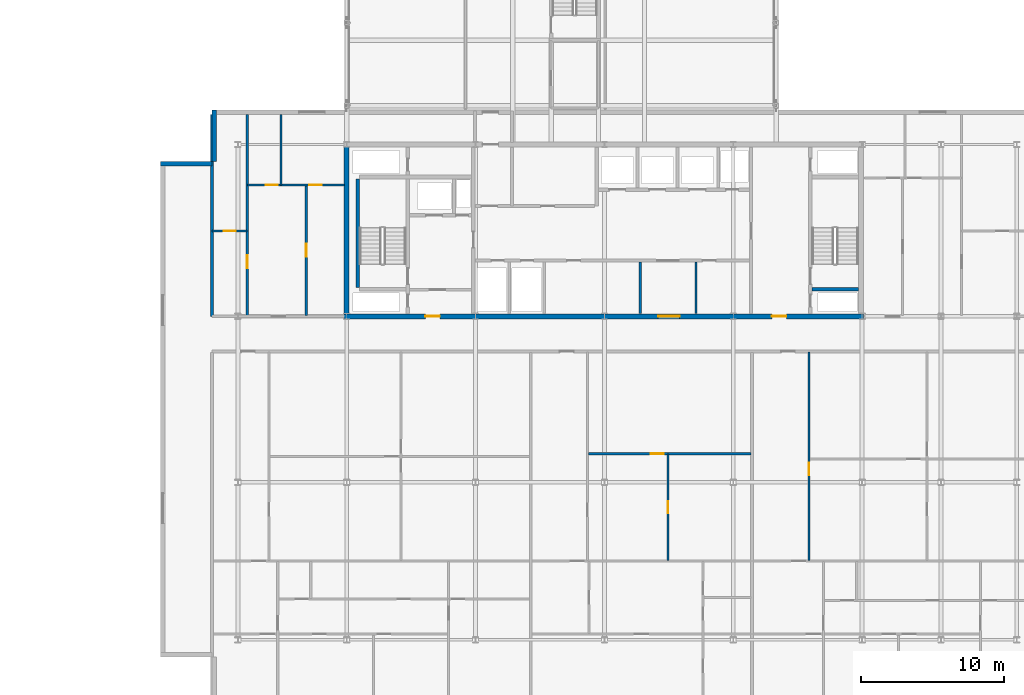
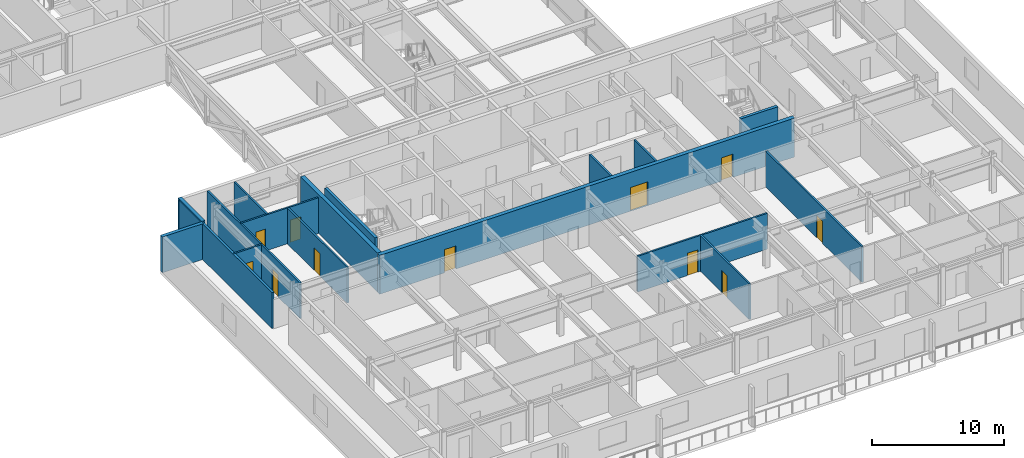
# One storey, part 19 of 36: 17 walls, 11 doors, 11 openings.
"""IFC4 building model written with IfcOpenShell, lengths in metres."""

from ifc_helpers import new_model, si_unit, direction, frame, frame_2d, origin, place, context, subcontext, project, spatial, rectangle, extrude, material, layer, layer_set, type_object, element, fill, save


model = new_model("IFC4")

# Units and contexts
model_context = context("Model", 3, precision=1e-05, world=origin(), true_north=direction((0.0, 1.0)))
body_context = subcontext(model_context, "Body", "Model", "MODEL_VIEW")
ifc_project = project(units=[si_unit("LENGTHUNIT", "METRE"), si_unit("AREAUNIT", "SQUARE_METRE"), si_unit("VOLUMEUNIT", "CUBIC_METRE"), si_unit("PLANEANGLEUNIT", "RADIAN"), si_unit("MASSUNIT", "GRAM", prefix="KILO")], contexts=[model_context])

# Site, building, storey
site_placement = place(None, origin())
site = spatial("IfcSite", under=ifc_project, at=site_placement, CompositionType="ELEMENT")
building_placement = place(site_placement, origin())
building = spatial("IfcBuilding", under=site, at=building_placement, Name="Korimba Cascade Residences", CompositionType="ELEMENT")
storey_placement = place(building_placement, frame((0.0, 0.0, 142.89990234375)))
storey = spatial("IfcBuildingStorey", under=building, at=storey_placement, Name="L41", CompositionType="ELEMENT", Elevation=142.89990234375)

# Walls
ifc_material_1 = material(Name="Precast concrete C40/50", Category="concrete")
ifc_layer_1 = layer(ifc_material_1, 0.300048828125)
ifc_layer_set_1 = layer_set([ifc_layer_1], Name="Precast concrete C40/50")
wall_type_1 = type_object("IfcWallType", Name="EW-STONE-300", PredefinedType="STANDARD", material=ifc_layer_set_1)
wall_1_placement = place(storey_placement, frame((72.85009765625, 32.800048828125, 0.0), z_axis=(0.0, 0.0, 1.0), x_axis=(0.0, -1.0, 0.0)))
element("IfcWall", 1, at=wall_1_placement, inside=storey, type_object=wall_type_1, Name="L41 T2 Perimeter Stone Wall E07", PredefinedType="STANDARD", context=body_context, shape_type="SweptSolid", body=[
    extrude(rectangle(XDim=3.60009765625, YDim=0.300048828125, at=frame_2d((1.800048828125, 0.0))), origin(), (0.0, 0.0, 1.0), 3.31005859375),
])
wall_2_placement = place(storey_placement, frame((72.699951171875, 29.050048828125, 0.0), z_axis=(0.0, 0.0, 1.0), x_axis=(-1.0, 0.0, 0.0)))
element("IfcWall", 2, at=wall_2_placement, inside=storey, type_object=wall_type_1, Name="L41 T2 Perimeter Stone Wall E08", PredefinedType="STANDARD", context=body_context, shape_type="SweptSolid", body=[
    extrude(rectangle(XDim=3.599853515625, YDim=0.300048828125, at=frame_2d((1.7998046875, 0.0))), origin(), (0.0, 0.0, 1.0), 3.31005859375),
])
ifc_material_2 = material(Name="Concrete C65/80", Category="concrete")
ifc_layer_2 = layer(ifc_material_2, 0.35009765625)
ifc_layer_set_2 = layer_set([ifc_layer_2], Name="Concrete C65/80")
wall_type_2 = type_object("IfcWallType", Name="WAL-CORE-350", PredefinedType="SHEAR", material=ifc_layer_set_2)
wall_3_placement = place(storey_placement, frame((82.10009765625, 18.574951171875, 0.0), z_axis=(0.0, 0.0, 1.0), x_axis=(0.0, 1.0, 0.0)))
element("IfcWall", 3, at=wall_3_placement, inside=storey, type_object=wall_type_2, Name="L41 Core Shear Wall CW-L41-T2-W", PredefinedType="SHEAR", context=body_context, shape_type="SweptSolid", body=[
    extrude(rectangle(XDim=11.650146484375, YDim=0.35009765625, at=frame_2d((5.8251953125, 0.0))), origin(), (0.0, 0.0, 1.0), 3.60009765625),
])

# Wall, openings, doors
wall_4_placement = place(storey_placement, frame((81.925048828125, 18.39990234375, 0.0), z_axis=(0.0, 0.0, 1.0), x_axis=(1.0, 0.0, 0.0)))
wall_4 = element("IfcWall", 4, at=wall_4_placement, inside=storey, type_object=wall_type_2, Name="L41 Core Shear Wall CW-L41-T2-S", PredefinedType="SHEAR", context=body_context, shape_type="SweptSolid", body=[
    extrude(rectangle(XDim=36.264892578125, YDim=0.35009765625, at=frame_2d((18.13232421875, 0.0))), origin(), (0.0, 0.0, 1.0), 3.60009765625),
])
opening_1_placement = place(wall_4_placement, frame((5.675048828125, 0.0, 0.0)))
opening_1 = element("IfcOpeningElement", 5, at=opening_1_placement, cuts=wall_4, Name="Opening D-FD5", PredefinedType="OPENING", context=body_context, shape_type="SweptSolid", body=[
    extrude(rectangle(XDim=1.0, YDim=2.14990234375, at=frame_2d((0.5, 1.074951171875))), frame((0.0, 0.18505859375, 0.0), z_axis=(0.0, -1.0, 0.0), x_axis=(1.0, 0.0, 0.0)), (0.0, 0.0, 1.0), 0.3701171875),
])
opening_2_placement = place(wall_4_placement, frame((21.925048828125, 0.0, 0.0)))
opening_2 = element("IfcOpeningElement", 6, at=opening_2_placement, cuts=wall_4, Name="Opening D-FD8", PredefinedType="OPENING", context=body_context, shape_type="SweptSolid", body=[
    extrude(rectangle(XDim=1.5, YDim=2.199951171875, at=frame_2d((0.75, 1.10009765625))), frame((0.0, 0.18505859375, 0.0), z_axis=(0.0, -1.0, 0.0), x_axis=(1.0, 0.0, 0.0)), (0.0, 0.0, 1.0), 0.3701171875),
])
opening_3_placement = place(wall_4_placement, frame((29.875, 0.0, 0.0)))
opening_3 = element("IfcOpeningElement", 7, at=opening_3_placement, cuts=wall_4, Name="Opening D-FD5", PredefinedType="OPENING", context=body_context, shape_type="SweptSolid", body=[
    extrude(rectangle(XDim=1.0, YDim=2.14990234375, at=frame_2d((0.5, 1.074951171875))), frame((0.0, 0.18505859375, 0.0), z_axis=(0.0, -1.0, 0.0), x_axis=(1.0, 0.0, 0.0)), (0.0, 0.0, 1.0), 0.3701171875),
])
ifc_material_3 = material(Name="Fire-Rated Acoustic Timber Vestibule Door", Category="wood")
door_type_1 = type_object("IfcDoorType", Name="DR-FD90-1000", OperationType="NOTDEFINED", PredefinedType="DOOR", material=ifc_material_3)
door_1_placement = place(opening_1_placement, origin())
door_1 = element("IfcDoor", 8, at=door_1_placement, inside=storey, type_object=door_type_1, Name="L41 T2 West Core Vestibule Fire Door", OperationType="SINGLE_SWING_RIGHT", OverallHeight=2.14990234375, OverallWidth=1.0, PredefinedType="DOOR", context=body_context, shape_type="SweptSolid", body=[
    extrude(rectangle(XDim=1.0, YDim=2.14990234375, at=frame_2d((0.5, 1.074951171875))), frame((0.0, 0.02490234375, 0.0), z_axis=(0.0, -1.0, 0.0), x_axis=(1.0, 0.0, 0.0)), (0.0, 0.0, 1.0), 0.050048828125),
])
fill(opening_1, door_1)
door_2_placement = place(opening_3_placement, origin())
door_2 = element("IfcDoor", 9, at=door_2_placement, inside=storey, type_object=door_type_1, Name="L41 T2 East Stair Vestibule Fire Door", OperationType="SINGLE_SWING_LEFT", OverallHeight=2.14990234375, OverallWidth=1.0, PredefinedType="DOOR", context=body_context, shape_type="SweptSolid", body=[
    extrude(rectangle(XDim=1.0, YDim=2.14990234375, at=frame_2d((0.5, 1.074951171875))), frame((0.0, 0.02490234375, 0.0), z_axis=(0.0, -1.0, 0.0), x_axis=(1.0, 0.0, 0.0)), (0.0, 0.0, 1.0), 0.050048828125),
])
fill(opening_3, door_2)
ifc_material_4 = material(Name="Fire-Rated Glazed Lift Lobby Double Door", Category="glass")
door_type_2 = type_object("IfcDoorType", Name="DR-FD90-1500", OperationType="NOTDEFINED", PredefinedType="DOOR", material=ifc_material_4)
door_3_placement = place(opening_2_placement, origin())
door_3 = element("IfcDoor", 10, at=door_3_placement, inside=storey, type_object=door_type_2, Name="L41 T2 Lift Lobby Fire Door", OperationType="DOUBLE_DOOR_SINGLE_SWING", OverallHeight=2.199951171875, OverallWidth=1.5, PredefinedType="DOOR", context=body_context, shape_type="SweptSolid", body=[
    extrude(rectangle(XDim=1.5, YDim=2.199951171875, at=frame_2d((0.75, 1.10009765625))), frame((0.0, 0.02490234375, 0.0), z_axis=(0.0, -1.0, 0.0), x_axis=(1.0, 0.0, 0.0)), (0.0, 0.0, 1.0), 0.050048828125),
])
fill(opening_2, door_3)

# Walls
ifc_layer_3 = layer(ifc_material_1, 0.199951171875)
ifc_layer_set_3 = layer_set([ifc_layer_3], Name="Precast concrete C40/50")
wall_type_3 = type_object("IfcWallType", Name="WAL-IT-200", PredefinedType="PARTITIONING", material=ifc_layer_set_3)
wall_5_placement = place(storey_placement, frame((72.699951171875, 18.39990234375, 0.0), z_axis=(0.0, 0.0, 1.0), x_axis=(0.0, 1.0, 0.0)))
element("IfcWall", 11, at=wall_5_placement, inside=storey, type_object=wall_type_3, Name="L41 Partition Wall WAL-L41-T2-FW-WL", PredefinedType="PARTITIONING", context=body_context, shape_type="SweptSolid", body=[
    extrude(rectangle(XDim=14.10009765625, YDim=0.199951171875, at=frame_2d((7.050048828125, 0.0))), origin(), (0.0, 0.0, 1.0), 3.31005859375),
])
ifc_material_5 = material(Name="Insulated Acoustic Stud Partition", Category="gypsum")
ifc_layer_4 = layer(ifc_material_5, 0.14990234375)
ifc_layer_set_4 = layer_set([ifc_layer_4], Name="Insulated Acoustic Stud Partition")
wall_type_4 = type_object("IfcWallType", Name="WAL-PART-150", PredefinedType="PARTITIONING", material=ifc_layer_set_4)
for number, where, z_axis, x_axis, name in (
    (12, (102.60009765625, 18.60009765625, 0.0), (0.0, 0.0, 1.0), (0.0, 1.0, 0.0), "L41 Partition Wall CW-L41-T2-THW"),
    (13, (106.5, 18.60009765625, 0.0), (0.0, 0.0, 1.0), (0.0, 1.0, 0.0), "L41 Partition Wall CW-L41-T2-THE"),
):
    element("IfcWall", number, at=place(storey_placement, frame(where, z_axis=z_axis, x_axis=x_axis)), inside=storey, type_object=wall_type_4, Name=name, PredefinedType="PARTITIONING", context=body_context, shape_type="SweptSolid", body=[
        extrude(rectangle(XDim=3.599853515625, YDim=0.14990234375, at=frame_2d((1.7998046875, 0.0))), origin(), (0.0, 0.0, 1.0), 3.31005859375),
    ])

# Wall, opening, door
wall_6_placement = place(storey_placement, frame((72.699951171875, 24.35009765625, 0.0), z_axis=(0.0, 0.0, 1.0), x_axis=(1.0, 0.0, 0.0)))
wall_6 = element("IfcWall", 14, at=wall_6_placement, inside=storey, type_object=wall_type_4, Name="L41 Partition Wall WAL-L41-T2-FW-STH", PredefinedType="PARTITIONING", context=body_context, shape_type="SweptSolid", body=[
    extrude(rectangle(XDim=2.449951171875, YDim=0.14990234375, at=frame_2d((1.22509765625, 0.0))), origin(), (0.0, 0.0, 1.0), 3.31005859375),
])
opening_4_placement = place(wall_6_placement, frame((0.804931640625, 0.0, 0.0)))
opening_4 = element("IfcOpeningElement", 15, at=opening_4_placement, cuts=wall_6, Name="Opening D-BT1", PredefinedType="OPENING", context=body_context, shape_type="SweptSolid", body=[
    extrude(rectangle(XDim=0.840087890625, YDim=2.0400390625, at=frame_2d((0.419921875, 1.02001953125))), frame((0.0, 0.0849609375, 0.0), z_axis=(0.0, -1.0, 0.0), x_axis=(1.0, 0.0, 0.0)), (0.0, 0.0, 1.0), 0.169921875),
])
ifc_material_6 = material(Name="Moisture-Resistant Bathroom Timber Door", Category="wood")
door_type_3 = type_object("IfcDoorType", Name="DR-INT-850", OperationType="NOTDEFINED", PredefinedType="DOOR", material=ifc_material_6)
door_4_placement = place(opening_4_placement, origin())
door_4 = element("IfcDoor", 16, at=door_4_placement, inside=storey, type_object=door_type_3, Name="L41-T2-FW Dressing Store Door", OperationType="SINGLE_SWING_LEFT", OverallHeight=2.0400390625, OverallWidth=0.840087890625, PredefinedType="DOOR", context=body_context, shape_type="SweptSolid", body=[
    extrude(rectangle(XDim=0.840087890625, YDim=2.0400390625, at=frame_2d((0.419921875, 1.02001953125))), frame((0.0, 0.02490234375, 0.0), z_axis=(0.0, -1.0, 0.0), x_axis=(1.0, 0.0, 0.0)), (0.0, 0.0, 1.0), 0.050048828125),
])
fill(opening_4, door_4)

wall_7_placement = place(storey_placement, frame((75.14990234375, 18.449951171875, 0.0), z_axis=(0.0, 0.0, 1.0), x_axis=(0.0, 1.0, 0.0)))
wall_7 = element("IfcWall", 17, at=wall_7_placement, inside=storey, type_object=wall_type_4, Name="L41 Partition Wall WAL-L41-T2-FW-STV", PredefinedType="PARTITIONING", context=body_context, shape_type="SweptSolid", body=[
    extrude(rectangle(XDim=14.050048828125, YDim=0.14990234375, at=frame_2d((7.02490234375, 0.0))), origin(), (0.0, 0.0, 1.0), 3.31005859375),
])
opening_5_placement = place(wall_7_placement, frame((3.320068359375, 0.0, 0.0)))
opening_5 = element("IfcOpeningElement", 18, at=opening_5_placement, cuts=wall_7, Name="Opening D-IN2", PredefinedType="OPENING", context=body_context, shape_type="SweptSolid", body=[
    extrude(rectangle(XDim=0.8798828125, YDim=2.06005859375, at=frame_2d((0.43994140625, 1.030029296875))), frame((0.0, 0.0849609375, 0.0), z_axis=(0.0, -1.0, 0.0), x_axis=(1.0, 0.0, 0.0)), (0.0, 0.0, 1.0), 0.169921875),
])
ifc_material_7 = material(Name="Acoustic Timber Bedroom Door", Category="wood")
door_type_4 = type_object("IfcDoorType", Name="DR-INT-880", OperationType="NOTDEFINED", PredefinedType="DOOR", material=ifc_material_7)
door_5_placement = place(opening_5_placement, origin())
door_5 = element("IfcDoor", 19, at=door_5_placement, inside=storey, type_object=door_type_4, Name="L41-T2-FW Study Door", OperationType="SINGLE_SWING_RIGHT", OverallHeight=2.06005859375, OverallWidth=0.8798828125, PredefinedType="DOOR", context=body_context, shape_type="SweptSolid", body=[
    extrude(rectangle(XDim=0.8798828125, YDim=2.06005859375, at=frame_2d((0.43994140625, 1.030029296875))), frame((0.0, 0.02490234375, 0.0), z_axis=(0.0, -1.0, 0.0), x_axis=(1.0, 0.0, 0.0)), (0.0, 0.0, 1.0), 0.050048828125),
])
fill(opening_5, door_5)

wall_8_placement = place(storey_placement, frame((79.27001953125, 18.449951171875, 0.0), z_axis=(0.0, 0.0, 1.0), x_axis=(0.0, 1.0, 0.0)))
wall_8 = element("IfcWall", 20, at=wall_8_placement, inside=storey, type_object=wall_type_4, Name="L41 Partition Wall WAL-L41-T2-FW-VS", PredefinedType="PARTITIONING", context=body_context, shape_type="SweptSolid", body=[
    extrude(rectangle(XDim=9.1201171875, YDim=0.14990234375, at=frame_2d((4.56005859375, 0.0))), origin(), (0.0, 0.0, 1.0), 3.31005859375),
])
opening_6_placement = place(wall_8_placement, frame((4.10009765625, 0.0, 0.0)))
opening_6 = element("IfcOpeningElement", 21, at=opening_6_placement, cuts=wall_8, Name="Opening D-IN1", PredefinedType="OPENING", context=body_context, shape_type="SweptSolid", body=[
    extrude(rectangle(XDim=0.919921875, YDim=2.080078125, at=frame_2d((0.4599609375, 1.0400390625))), frame((0.0, 0.0849609375, 0.0), z_axis=(0.0, -1.0, 0.0), x_axis=(1.0, 0.0, 0.0)), (0.0, 0.0, 1.0), 0.169921875),
])
ifc_material_8 = material(Name="Acoustic Timber Living Door", Category="wood")
door_type_5 = type_object("IfcDoorType", Name="DR-INT-920", OperationType="NOTDEFINED", PredefinedType="DOOR", material=ifc_material_8)
door_6_placement = place(opening_6_placement, origin())
door_6 = element("IfcDoor", 22, at=door_6_placement, inside=storey, type_object=door_type_5, Name="L41-T2-FW Living Door", OperationType="SINGLE_SWING_LEFT", OverallHeight=2.080078125, OverallWidth=0.919921875, PredefinedType="DOOR", context=body_context, shape_type="SweptSolid", body=[
    extrude(rectangle(XDim=0.919921875, YDim=2.080078125, at=frame_2d((0.4599609375, 1.0400390625))), frame((0.0, 0.02490234375, 0.0), z_axis=(0.0, -1.0, 0.0), x_axis=(1.0, 0.0, 0.0)), (0.0, 0.0, 1.0), 0.050048828125),
])
fill(opening_6, door_6)

# Wall
wall_9_placement = place(storey_placement, frame((77.5, 27.570068359375, 0.0), z_axis=(0.0, 0.0, 1.0), x_axis=(0.0, 1.0, 0.0)))
element("IfcWall", 23, at=wall_9_placement, inside=storey, type_object=wall_type_4, Name="L41 Partition Wall WAL-L41-T2-FW-VN", PredefinedType="PARTITIONING", context=body_context, shape_type="SweptSolid", body=[
    extrude(rectangle(XDim=4.929931640625, YDim=0.14990234375, at=frame_2d((2.46484375, 0.0))), origin(), (0.0, 0.0, 1.0), 3.31005859375),
])

# Wall, openings, doors
wall_10_placement = place(storey_placement, frame((75.169921875, 27.570068359375, 0.0), z_axis=(0.0, 0.0, 1.0), x_axis=(1.0, 0.0, 0.0)))
wall_10 = element("IfcWall", 24, at=wall_10_placement, inside=storey, type_object=wall_type_4, Name="L41 Partition Wall WAL-L41-T2-FW-H", PredefinedType="PARTITIONING", context=body_context, shape_type="SweptSolid", body=[
    extrude(rectangle(XDim=6.760009765625, YDim=0.14990234375, at=frame_2d((3.3798828125, 0.0))), origin(), (0.0, 0.0, 1.0), 3.31005859375),
])
opening_7_placement = place(wall_10_placement, frame((1.266357421875, 0.0, 0.0)))
opening_7 = element("IfcOpeningElement", 25, at=opening_7_placement, cuts=wall_10, Name="Opening D-BT1", PredefinedType="OPENING", context=body_context, shape_type="SweptSolid", body=[
    extrude(rectangle(XDim=0.840087890625, YDim=2.0400390625, at=frame_2d((0.419921875, 1.02001953125))), frame((0.0, 0.0849609375, 0.0), z_axis=(0.0, -1.0, 0.0), x_axis=(1.0, 0.0, 0.0)), (0.0, 0.0, 1.0), 0.169921875),
])
opening_8_placement = place(wall_10_placement, frame((4.320068359375, 0.0, 0.0)))
opening_8 = element("IfcOpeningElement", 26, at=opening_8_placement, cuts=wall_10, Name="Opening D-IN2", PredefinedType="OPENING", context=body_context, shape_type="SweptSolid", body=[
    extrude(rectangle(XDim=0.8798828125, YDim=2.06005859375, at=frame_2d((0.43994140625, 1.030029296875))), frame((0.0, 0.0849609375, 0.0), z_axis=(0.0, -1.0, 0.0), x_axis=(1.0, 0.0, 0.0)), (0.0, 0.0, 1.0), 0.169921875),
])
door_7_placement = place(opening_7_placement, origin())
door_7 = element("IfcDoor", 27, at=door_7_placement, inside=storey, type_object=door_type_3, Name="L41-T2-FW Bathroom Door", OperationType="SINGLE_SWING_RIGHT", OverallHeight=2.0400390625, OverallWidth=0.840087890625, PredefinedType="DOOR", context=body_context, shape_type="SweptSolid", body=[
    extrude(rectangle(XDim=0.840087890625, YDim=2.0400390625, at=frame_2d((0.419921875, 1.02001953125))), frame((0.0, 0.02490234375, 0.0), z_axis=(0.0, -1.0, 0.0), x_axis=(1.0, 0.0, 0.0)), (0.0, 0.0, 1.0), 0.050048828125),
])
fill(opening_7, door_7)
door_8_placement = place(opening_8_placement, origin())
door_8 = element("IfcDoor", 28, at=door_8_placement, inside=storey, type_object=door_type_4, Name="L41-T2-FW Bedroom Door", OperationType="SINGLE_SWING_LEFT", OverallHeight=2.06005859375, OverallWidth=0.8798828125, PredefinedType="DOOR", context=body_context, shape_type="SweptSolid", body=[
    extrude(rectangle(XDim=0.8798828125, YDim=2.06005859375, at=frame_2d((0.43994140625, 1.030029296875))), frame((0.0, 0.02490234375, 0.0), z_axis=(0.0, -1.0, 0.0), x_axis=(1.0, 0.0, 0.0)), (0.0, 0.0, 1.0), 0.050048828125),
])
fill(opening_8, door_8)

# Wall, opening, door
wall_11_placement = place(storey_placement, frame((104.5341796875, 1.340087890625, 0.0), z_axis=(0.0, 0.0, 1.0), x_axis=(0.0, 1.0, 0.0)))
wall_11 = element("IfcWall", 29, at=wall_11_placement, inside=storey, type_object=wall_type_4, Name="L41 Partition Wall WAL-L41-T2-U02-FMV", PredefinedType="PARTITIONING", context=body_context, shape_type="SweptSolid", body=[
    extrude(rectangle(XDim=7.454833984375, YDim=0.14990234375, at=frame_2d((3.7275390625, 0.0))), origin(), (0.0, 0.0, 1.0), 3.31005859375),
])
opening_9_placement = place(wall_11_placement, frame((3.3076171875, 0.0, 0.0)))
opening_9 = element("IfcOpeningElement", 30, at=opening_9_placement, cuts=wall_11, Name="Opening D-BT1", PredefinedType="OPENING", context=body_context, shape_type="SweptSolid", body=[
    extrude(rectangle(XDim=0.840087890625, YDim=2.0400390625, at=frame_2d((0.419921875, 1.02001953125))), frame((0.0, 0.0849609375, 0.0), z_axis=(0.0, -1.0, 0.0), x_axis=(1.0, 0.0, 0.0)), (0.0, 0.0, 1.0), 0.169921875),
])
door_9_placement = place(opening_9_placement, origin())
door_9 = element("IfcDoor", 31, at=door_9_placement, inside=storey, type_object=door_type_3, Name="L41-T2-U02 Wardrobe Door", OperationType="SINGLE_SWING_RIGHT", OverallHeight=2.0400390625, OverallWidth=0.840087890625, PredefinedType="DOOR", context=body_context, shape_type="SweptSolid", body=[
    extrude(rectangle(XDim=0.840087890625, YDim=2.0400390625, at=frame_2d((0.419921875, 1.02001953125))), frame((0.0, 0.02490234375, 0.0), z_axis=(0.0, -1.0, 0.0), x_axis=(1.0, 0.0, 0.0)), (0.0, 0.0, 1.0), 0.050048828125),
])
fill(opening_9, door_9)

wall_12_placement = place(storey_placement, frame((98.97998046875, 8.794921875, 0.0), z_axis=(0.0, 0.0, 1.0), x_axis=(1.0, 0.0, 0.0)))
wall_12 = element("IfcWall", 32, at=wall_12_placement, inside=storey, type_object=wall_type_4, Name="L41 Partition Wall WAL-L41-T2-U02-FMH", PredefinedType="PARTITIONING", context=body_context, shape_type="SweptSolid", body=[
    extrude(rectangle(XDim=11.348388671875, YDim=0.14990234375, at=frame_2d((5.67431640625, 0.0))), origin(), (0.0, 0.0, 1.0), 3.31005859375),
])
opening_10_placement = place(wall_12_placement, frame((4.3720703125, 0.0, 0.0)))
opening_10 = element("IfcOpeningElement", 33, at=opening_10_placement, cuts=wall_12, Name="Opening D-IN2", PredefinedType="OPENING", context=body_context, shape_type="SweptSolid", body=[
    extrude(rectangle(XDim=0.8798828125, YDim=2.06005859375, at=frame_2d((0.43994140625, 1.030029296875))), frame((0.0, 0.0849609375, 0.0), z_axis=(0.0, -1.0, 0.0), x_axis=(1.0, 0.0, 0.0)), (0.0, 0.0, 1.0), 0.169921875),
])
door_10_placement = place(opening_10_placement, origin())
door_10 = element("IfcDoor", 34, at=door_10_placement, inside=storey, type_object=door_type_4, Name="L41-T2-U02 Library Salon Door", OperationType="SINGLE_SWING_LEFT", OverallHeight=2.06005859375, OverallWidth=0.8798828125, PredefinedType="DOOR", context=body_context, shape_type="SweptSolid", body=[
    extrude(rectangle(XDim=0.8798828125, YDim=2.06005859375, at=frame_2d((0.43994140625, 1.030029296875))), frame((0.0, 0.02490234375, 0.0), z_axis=(0.0, -1.0, 0.0), x_axis=(1.0, 0.0, 0.0)), (0.0, 0.0, 1.0), 0.050048828125),
])
fill(opening_10, door_10)

wall_13_placement = place(storey_placement, frame((114.37841796875, 1.340087890625, 0.0), z_axis=(0.0, 0.0, 1.0), x_axis=(0.0, 1.0, 0.0)))
wall_13 = element("IfcWall", 35, at=wall_13_placement, inside=storey, type_object=wall_type_4, Name="L41 Partition Wall WAL-L41-T2-U03-FV", PredefinedType="PARTITIONING", context=body_context, shape_type="SweptSolid", body=[
    extrude(rectangle(XDim=14.5498046875, YDim=0.14990234375, at=frame_2d((7.27490234375, 0.0))), origin(), (0.0, 0.0, 1.0), 3.31005859375),
])
opening_11_placement = place(wall_13_placement, frame((5.965087890625, 0.0, 0.0)))
opening_11 = element("IfcOpeningElement", 36, at=opening_11_placement, cuts=wall_13, Name="Opening D-IN2", PredefinedType="OPENING", context=body_context, shape_type="SweptSolid", body=[
    extrude(rectangle(XDim=0.8798828125, YDim=2.06005859375, at=frame_2d((0.43994140625, 1.030029296875))), frame((0.0, 0.0849609375, 0.0), z_axis=(0.0, -1.0, 0.0), x_axis=(1.0, 0.0, 0.0)), (0.0, 0.0, 1.0), 0.169921875),
])
door_11_placement = place(opening_11_placement, origin())
door_11 = element("IfcDoor", 37, at=door_11_placement, inside=storey, type_object=door_type_4, Name="L41-T2-U03 Media Lounge Door", OperationType="SINGLE_SWING_RIGHT", OverallHeight=2.06005859375, OverallWidth=0.8798828125, PredefinedType="DOOR", context=body_context, shape_type="SweptSolid", body=[
    extrude(rectangle(XDim=0.8798828125, YDim=2.06005859375, at=frame_2d((0.43994140625, 1.030029296875))), frame((0.0, 0.02490234375, 0.0), z_axis=(0.0, -1.0, 0.0), x_axis=(1.0, 0.0, 0.0)), (0.0, 0.0, 1.0), 0.050048828125),
])
fill(opening_11, door_11)

# Walls
ifc_material_9 = material(Name="Concrete C50/60", Category="concrete")
ifc_layer_5 = layer(ifc_material_9, 0.25)
ifc_layer_set_5 = layer_set([ifc_layer_5], Name="Concrete C50/60")
wall_type_5 = type_object("IfcWallType", Name="WAL-SHAFT-250", PredefinedType="SHEAR", material=ifc_layer_set_5)
wall_14_placement = place(storey_placement, frame((82.875, 20.39990234375, 0.0), z_axis=(0.0, 0.0, 1.0), x_axis=(0.0, 1.0, 0.0)))
element("IfcWall", 38, at=wall_14_placement, inside=storey, type_object=wall_type_5, Name="L41 Core Shear Wall CW-L41-T2-STE1W", PredefinedType="SHEAR", context=body_context, shape_type="SweptSolid", body=[
    extrude(rectangle(XDim=7.60009765625, YDim=0.25, at=frame_2d((3.800048828125, 0.0))), origin(), (0.0, 0.0, 1.0), 3.60009765625),
])
wall_15_placement = place(storey_placement, frame((114.60009765625, 20.27490234375, 0.0), z_axis=(0.0, 0.0, 1.0), x_axis=(1.0, 0.0, 0.0)))
element("IfcWall", 39, at=wall_15_placement, inside=storey, type_object=wall_type_5, Name="L41 Core Shear Wall CW-L41-T2-STE2S", PredefinedType="SHEAR", context=body_context, shape_type="SweptSolid", body=[
    extrude(rectangle(XDim=3.239990234375, YDim=0.25, at=frame_2d((1.6201171875, 0.0))), origin(), (0.0, 0.0, 1.0), 3.60009765625),
])

save(model, "model.ifc")
